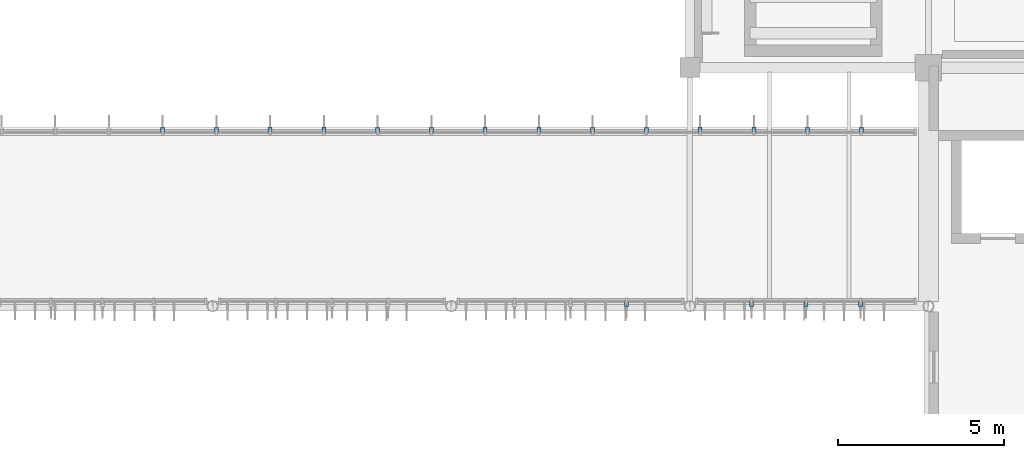
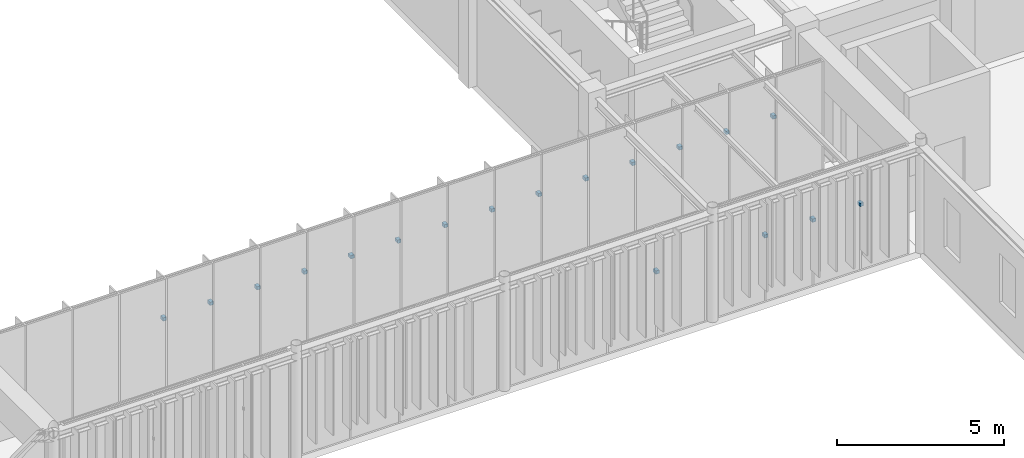
# One storey, part 52 of 122: 18 discrete accessories.
"""IFC4 building model written with IfcOpenShell, lengths in metres."""

import ifcopenshell
import ifcopenshell.guid

model = None  # the IFC model being written
_history = None  # IfcOwnerHistory: only IFC2X3 demands one
_inside = {}  # id of a spatial element -> (the spatial element, [elements in it])
_under = {}  # id of a project, library or spatial element -> (it, [spatial elements below it])
_declared = {}  # id of a project -> (the project, [libraries it declares])
_typed = {}  # id of a type object -> (the type object, [elements of that type])
_made_of = {}  # id of a material, layer set ... -> (it, [elements and type objects made of it])


def new_model(schema):
    """Start an empty IFC model of exactly this schema.

    Asked for "IFC4X3", IfcOpenShell would pick the latest addendum, in which some entities
    have other attributes; the version numbers below select the first issue.
    IFC2X3 requires an IfcOwnerHistory on every rooted entity: one is made here for all.
    """
    global model, _history
    if schema == "IFC4X3":
        model = ifcopenshell.file(schema_version=(4, 3, 0, 0))
    else:
        model = ifcopenshell.file(schema=schema)
    _inside.clear()
    _under.clear()
    _declared.clear()
    _typed.clear()
    _made_of.clear()
    _history = None
    if model.schema == "IFC2X3":
        org = make("IfcOrganization", Name="unknown")
        user = make(
            "IfcPersonAndOrganization",
            ThePerson=make("IfcPerson", FamilyName="unknown"),
            TheOrganization=org,
        )
        app = make(
            "IfcApplication",
            ApplicationDeveloper=org,
            Version="unknown",
            ApplicationFullName="unknown",
            ApplicationIdentifier="unknown",
        )
        _history = make(
            "IfcOwnerHistory",
            OwningUser=user,
            OwningApplication=app,
            ChangeAction="ADDED",
            CreationDate=0,
        )
    return model


def make(cls, **values):
    """One entity of the class cls with the attributes given. An attribute that is None is left unset."""
    return model.create_entity(
        cls, **{name: value for name, value in values.items() if value is not None}
    )


def rooted(cls, **values):
    """An entity with a GlobalId (a new one), such as an element, a storey or a relation."""
    return make(cls, GlobalId=ifcopenshell.guid.new(), OwnerHistory=_history, **values)


def si_unit(unit_type, name, prefix=None):
    """IfcSIUnit, for example si_unit("LENGTHUNIT", "METRE", prefix="MILLI")."""
    return make("IfcSIUnit", UnitType=unit_type, Prefix=prefix, Name=name)


def assignment(units):
    """IfcUnitAssignment: the units of a project."""
    return None if units is None else make("IfcUnitAssignment", Units=units)


def point(xyz):
    """IfcCartesianPoint."""
    return None if xyz is None else make("IfcCartesianPoint", Coordinates=xyz)


def direction(xyz):
    """IfcDirection."""
    return None if xyz is None else make("IfcDirection", DirectionRatios=xyz)


def frame(location, z_axis=None, x_axis=None):
    """IfcAxis2Placement3D, a coordinate frame: its origin and axes. An axis left out is left unset."""
    return make(
        "IfcAxis2Placement3D",
        Location=point(location),
        Axis=direction(z_axis),
        RefDirection=direction(x_axis),
    )


def frame_2d(location, x_axis=None):
    """IfcAxis2Placement2D, a coordinate frame in the plane: its origin and x axis."""
    return make(
        "IfcAxis2Placement2D", Location=point(location), RefDirection=direction(x_axis)
    )


def origin():
    """The frame at (0, 0, 0) with its axes left unset."""
    return frame((0.0, 0.0, 0.0))


def origin_2d():
    """The frame at (0, 0) in the plane with its x axis left unset."""
    return frame_2d((0.0, 0.0))


def place(relative_to, where):
    """IfcLocalPlacement: puts the frame where relative to a parent placement (None: the world)."""
    return make(
        "IfcLocalPlacement", PlacementRelTo=relative_to, RelativePlacement=where
    )


def context(
    kind, dimensions, precision=None, world=None, true_north=None, identifier=None
):
    """IfcGeometricRepresentationContext, for example the 3D "Model" context."""
    return make(
        "IfcGeometricRepresentationContext",
        ContextIdentifier=identifier,
        ContextType=kind,
        CoordinateSpaceDimension=dimensions,
        Precision=precision,
        WorldCoordinateSystem=world,
        TrueNorth=true_north,
    )


def subcontext(parent, identifier, kind, view, scale=None):
    """IfcGeometricRepresentationSubContext, for example "Body" below "Model"."""
    return make(
        "IfcGeometricRepresentationSubContext",
        ContextIdentifier=identifier,
        ContextType=kind,
        ParentContext=parent,
        TargetScale=scale,
        TargetView=view,
    )


def project(units=None, contexts=None):
    """IfcProject with its units and contexts."""
    return rooted(
        "IfcProject",
        Name="project",
        RepresentationContexts=contexts,
        UnitsInContext=assignment(units),
    )


def spatial(cls, under=None, at=None, **own):
    """A site, building, storey or space (cls), placed at a placement, below another one or the project."""
    s = rooted(cls, ObjectPlacement=at, **own)
    if under is not None:
        _under.setdefault(under.id(), (under, []))[1].append(s)
    return s


def profile(cls, at=None, kind="AREA", **sizes):
    """A parametric profile (cls). Its sizes go by their IFC names, for example OverallWidth=200.0."""
    return make(cls, ProfileType=kind, Position=at, **sizes)


def rectangle(**sizes):
    """IfcRectangleProfileDef."""
    return profile("IfcRectangleProfileDef", **sizes)


def extrude(swept, where, along, depth):
    """IfcExtrudedAreaSolid: the profile swept, set in the frame where, extruded along a direction by depth."""
    return make(
        "IfcExtrudedAreaSolid",
        SweptArea=swept,
        Position=where,
        ExtrudedDirection=direction(along),
        Depth=depth,
    )


def shape(context_of_items, identifier, shape_type, items):
    """IfcShapeRepresentation: the items that make up one representation, for example the "Body"."""
    return make(
        "IfcShapeRepresentation",
        ContextOfItems=context_of_items,
        RepresentationIdentifier=identifier,
        RepresentationType=shape_type,
        Items=items,
    )


def material(Name=None, Category=None):
    """IfcMaterial."""
    return make("IfcMaterial", Name=Name, Category=Category)


def made_of(thing, what):
    """Note that an element or type object is made of a material, layer set ...; save() writes the relation."""
    if what is not None:
        _made_of.setdefault(what.id(), (what, []))[1].append(thing)
    return thing


def type_object(cls, material=None, **own):
    """A type object (cls), such as IfcWallType, which elements share."""
    return made_of(rooted(cls, **own), material)


def element(
    cls,
    number,
    at=None,
    inside=None,
    cuts=None,
    type_object=None,
    material=None,
    context=None,
    identifier="Body",
    shape_type=None,
    held_by="IfcProductDefinitionShape",
    body=None,
    shapes=None,
    **own,
):
    """One element of the class cls, such as IfcWall. Its Tag is "e" and its number.

    at: its placement. inside: the storey or other place that contains it. cuts: it is an
    opening in that element (IfcRelVoidsElement). A single representation is given by context,
    identifier, shape_type and body (its items); several are given by shapes. held_by: the class
    of the entity that holds the representations. save() writes the other relations.
    """
    e = rooted(cls, Tag="e%d" % number, ObjectPlacement=at, **own)
    if body is not None:
        shapes = [shape(context, identifier, shape_type, body)]
    if shapes is not None:
        e.Representation = make(held_by, Representations=shapes)
    if inside is not None:
        _inside.setdefault(inside.id(), (inside, []))[1].append(e)
    if cuts is not None:
        rooted(
            "IfcRelVoidsElement", RelatingBuildingElement=cuts, RelatedOpeningElement=e
        )
    if type_object is not None:
        _typed.setdefault(type_object.id(), (type_object, []))[1].append(e)
    return made_of(e, material)


def aggregate(whole, parts):
    """IfcRelAggregates: a whole, such as a stair, and the parts it consists of."""
    return rooted("IfcRelAggregates", RelatingObject=whole, RelatedObjects=parts)


def save(model, path):
    """Write the relations noted so far, then the file.

    IfcRelAggregates (storeys below a building ...), IfcRelContainedInSpatialStructure (elements
    in a storey), IfcRelDefinesByType, IfcRelAssociatesMaterial and IfcRelDeclares: one each for
    every whole, place, type object, material and project.
    """
    for whole, parts in _under.values():
        aggregate(whole, parts)
    for where, things in _inside.values():
        rooted(
            "IfcRelContainedInSpatialStructure",
            RelatedElements=things,
            RelatingStructure=where,
        )
    for kind, things in _typed.values():
        rooted("IfcRelDefinesByType", RelatedObjects=things, RelatingType=kind)
    for what, things in _made_of.values():
        rooted("IfcRelAssociatesMaterial", RelatedObjects=things, RelatingMaterial=what)
    for by, libraries in _declared.values():
        rooted("IfcRelDeclares", RelatingContext=by, RelatedDefinitions=libraries)
    model.write(path)


model = new_model("IFC4")

# Units and contexts
model_context = context("Model", 3, precision=1e-05, world=origin(), true_north=direction((0.0, 1.0)))
body_context = subcontext(model_context, "Body", "Model", "MODEL_VIEW")
ifc_project = project(units=[si_unit("LENGTHUNIT", "METRE"), si_unit("AREAUNIT", "SQUARE_METRE"), si_unit("VOLUMEUNIT", "CUBIC_METRE"), si_unit("PLANEANGLEUNIT", "RADIAN"), si_unit("MASSUNIT", "GRAM", prefix="KILO")], contexts=[model_context])

# Site, building, storey
site_placement = place(None, origin())
site = spatial("IfcSite", under=ifc_project, at=site_placement, CompositionType="ELEMENT")
building_placement = place(site_placement, origin())
building = spatial("IfcBuilding", under=site, at=building_placement, Name="Tazoul Stagehouse", CompositionType="ELEMENT")
storey_placement = place(building_placement, frame((0.0, 0.0, 4.800048828125)))
storey = spatial("IfcBuildingStorey", under=building, at=storey_placement, Name="L01", CompositionType="ELEMENT", Elevation=4.800048828125)

# Discrete accessories
ifc_material = material(Name="Austenitic Stainless Steel EN 1.4401", Category="steel")
discrete_accessory_type = type_object("IfcDiscreteAccessoryType", Name="Stainless Steel Louvre Support Cleat Bracket", PredefinedType="BRACKET", material=ifc_material)
for number, where, z_axis, x_axis, name in (
    (1, (48.493896484375, 44.669921875, 2.3486328125), (0.0, 0.0, 1.0), (1.0, 0.0, 0.0), "Cleat Bracket BRK-01 CW-WLNK-S-L01-B3-BRK03"),
    (2, (52.259033203125, 44.669921875, 2.3486328125), (0.0, 0.0, 1.0), (1.0, 0.0, 0.0), "Cleat Bracket BRK-01 CW-WLNK-S-L01-B4-BRK01"),
    (3, (53.906005859375, 44.669921875, 2.3486328125), (0.0, 0.0, 1.0), (1.0, 0.0, 0.0), "Cleat Bracket BRK-01 CW-WLNK-S-L01-B4-BRK02"),
    (4, (55.552978515625, 44.669921875, 2.3486328125), (0.0, 0.0, 1.0), (1.0, 0.0, 0.0), "Cleat Bracket BRK-01 CW-WLNK-S-L01-B4-BRK03"),
    (5, (34.489013671875, 49.929931640625, 2.3486328125), (0.0, 0.0, 1.0), (1.0, 0.0, 0.0), "Cleat Bracket BRK-01 CW-WLNK-N-L01-BRK04"),
    (6, (36.111083984375, 49.929931640625, 2.3486328125), (0.0, 0.0, 1.0), (1.0, 0.0, 0.0), "Cleat Bracket BRK-01 CW-WLNK-N-L01-BRK05"),
    (7, (37.7333984375, 49.929931640625, 2.3486328125), (0.0, 0.0, 1.0), (1.0, 0.0, 0.0), "Cleat Bracket BRK-01 CW-WLNK-N-L01-BRK06"),
    (8, (39.355712890625, 49.929931640625, 2.3486328125), (0.0, 0.0, 1.0), (1.0, 0.0, 0.0), "Cleat Bracket BRK-01 CW-WLNK-N-L01-BRK07"),
    (9, (40.977783203125, 49.929931640625, 2.3486328125), (0.0, 0.0, 1.0), (1.0, 0.0, 0.0), "Cleat Bracket BRK-01 CW-WLNK-N-L01-BRK08"),
    (10, (42.60009765625, 49.929931640625, 2.3486328125), (0.0, 0.0, 1.0), (1.0, 0.0, 0.0), "Cleat Bracket BRK-01 CW-WLNK-N-L01-BRK09"),
    (11, (44.22216796875, 49.929931640625, 2.3486328125), (0.0, 0.0, 1.0), (1.0, 0.0, 0.0), "Cleat Bracket BRK-01 CW-WLNK-N-L01-BRK10"),
    (12, (45.844482421875, 49.929931640625, 2.3486328125), (0.0, 0.0, 1.0), (1.0, 0.0, 0.0), "Cleat Bracket BRK-01 CW-WLNK-N-L01-BRK11"),
    (13, (47.466796875, 49.929931640625, 2.3486328125), (0.0, 0.0, 1.0), (1.0, 0.0, 0.0), "Cleat Bracket BRK-01 CW-WLNK-N-L01-BRK12"),
    (14, (49.0888671875, 49.929931640625, 2.3486328125), (0.0, 0.0, 1.0), (1.0, 0.0, 0.0), "Cleat Bracket BRK-01 CW-WLNK-N-L01-BRK13"),
    (15, (50.711181640625, 49.929931640625, 2.3486328125), (0.0, 0.0, 1.0), (1.0, 0.0, 0.0), "Cleat Bracket BRK-01 CW-WLNK-N-L01-BRK14"),
    (16, (52.333251953125, 49.929931640625, 2.3486328125), (0.0, 0.0, 1.0), (1.0, 0.0, 0.0), "Cleat Bracket BRK-01 CW-WLNK-N-L01-BRK15"),
    (17, (53.95556640625, 49.929931640625, 2.3486328125), (0.0, 0.0, 1.0), (1.0, 0.0, 0.0), "Cleat Bracket BRK-01 CW-WLNK-N-L01-BRK16"),
    (18, (55.577880859375, 49.929931640625, 2.3486328125), (0.0, 0.0, 1.0), (1.0, 0.0, 0.0), "Cleat Bracket BRK-01 CW-WLNK-N-L01-BRK17"),
):
    element("IfcDiscreteAccessory", number, at=place(storey_placement, frame(where, z_axis=z_axis, x_axis=x_axis)), inside=storey, type_object=discrete_accessory_type, Name=name, PredefinedType="BRACKET", context=body_context, shape_type="SweptSolid", body=[
        extrude(rectangle(XDim=0.1201171875, YDim=0.159912109375, at=origin_2d()), origin(), (0.0, 0.0, 1.0), 0.1201171875),
    ])

save(model, "model.ifc")
